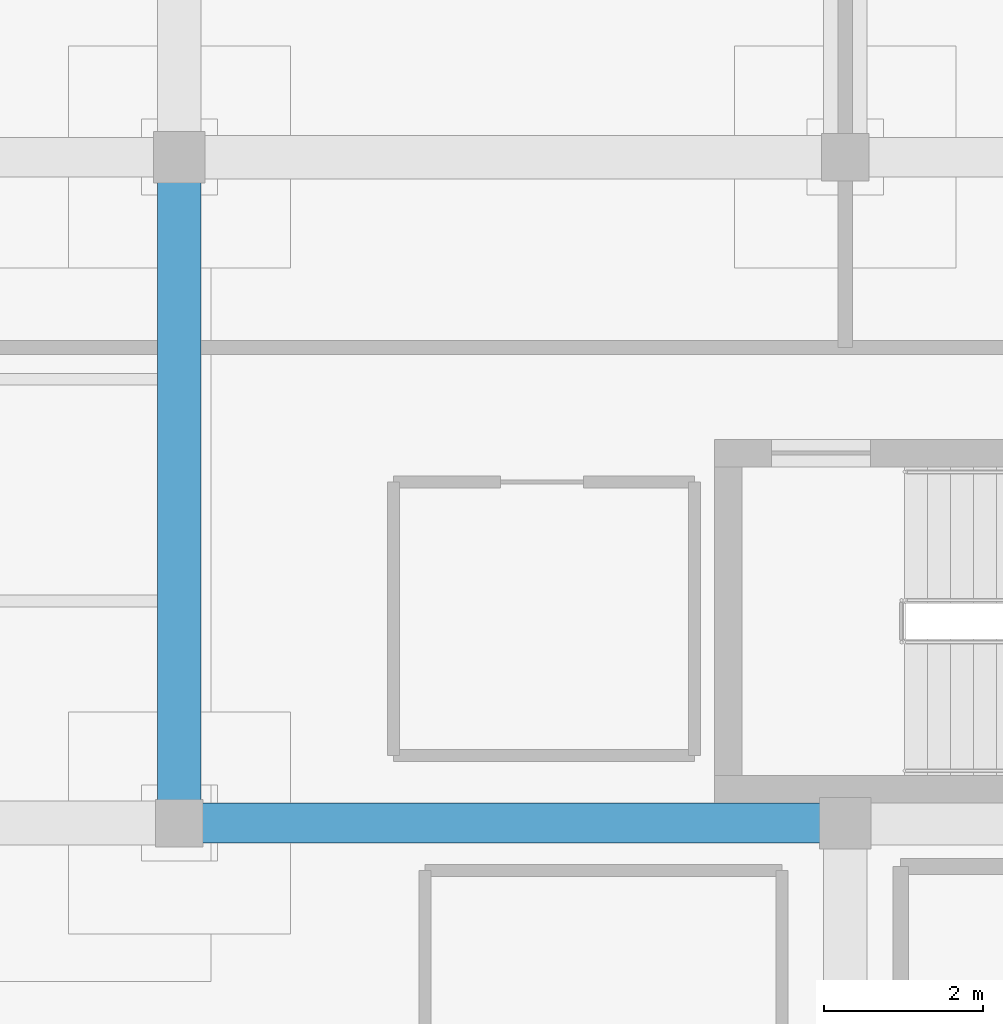
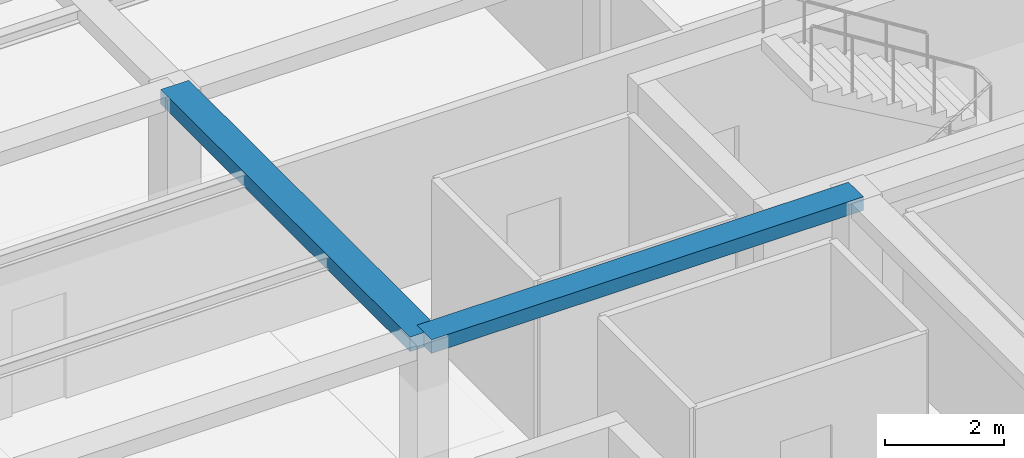
# One storey, part 10 of 26: 2 beams.
"""IFC4 building model written with IfcOpenShell, lengths in metres."""

import ifcopenshell
import ifcopenshell.guid

model = None  # the IFC model being written
_history = None  # IfcOwnerHistory: only IFC2X3 demands one
_inside = {}  # id of a spatial element -> (the spatial element, [elements in it])
_under = {}  # id of a project, library or spatial element -> (it, [spatial elements below it])
_declared = {}  # id of a project -> (the project, [libraries it declares])
_typed = {}  # id of a type object -> (the type object, [elements of that type])
_made_of = {}  # id of a material, layer set ... -> (it, [elements and type objects made of it])


def new_model(schema):
    """Start an empty IFC model of exactly this schema.

    Asked for "IFC4X3", IfcOpenShell would pick the latest addendum, in which some entities
    have other attributes; the version numbers below select the first issue.
    IFC2X3 requires an IfcOwnerHistory on every rooted entity: one is made here for all.
    """
    global model, _history
    if schema == "IFC4X3":
        model = ifcopenshell.file(schema_version=(4, 3, 0, 0))
    else:
        model = ifcopenshell.file(schema=schema)
    _inside.clear()
    _under.clear()
    _declared.clear()
    _typed.clear()
    _made_of.clear()
    _history = None
    if model.schema == "IFC2X3":
        org = make("IfcOrganization", Name="unknown")
        user = make(
            "IfcPersonAndOrganization",
            ThePerson=make("IfcPerson", FamilyName="unknown"),
            TheOrganization=org,
        )
        app = make(
            "IfcApplication",
            ApplicationDeveloper=org,
            Version="unknown",
            ApplicationFullName="unknown",
            ApplicationIdentifier="unknown",
        )
        _history = make(
            "IfcOwnerHistory",
            OwningUser=user,
            OwningApplication=app,
            ChangeAction="ADDED",
            CreationDate=0,
        )
    return model


def make(cls, **values):
    """One entity of the class cls with the attributes given. An attribute that is None is left unset."""
    return model.create_entity(
        cls, **{name: value for name, value in values.items() if value is not None}
    )


def rooted(cls, **values):
    """An entity with a GlobalId (a new one), such as an element, a storey or a relation."""
    return make(cls, GlobalId=ifcopenshell.guid.new(), OwnerHistory=_history, **values)


def si_unit(unit_type, name, prefix=None):
    """IfcSIUnit, for example si_unit("LENGTHUNIT", "METRE", prefix="MILLI")."""
    return make("IfcSIUnit", UnitType=unit_type, Prefix=prefix, Name=name)


def assignment(units):
    """IfcUnitAssignment: the units of a project."""
    return None if units is None else make("IfcUnitAssignment", Units=units)


def point(xyz):
    """IfcCartesianPoint."""
    return None if xyz is None else make("IfcCartesianPoint", Coordinates=xyz)


def direction(xyz):
    """IfcDirection."""
    return None if xyz is None else make("IfcDirection", DirectionRatios=xyz)


def frame(location, z_axis=None, x_axis=None):
    """IfcAxis2Placement3D, a coordinate frame: its origin and axes. An axis left out is left unset."""
    return make(
        "IfcAxis2Placement3D",
        Location=point(location),
        Axis=direction(z_axis),
        RefDirection=direction(x_axis),
    )


def frame_2d(location, x_axis=None):
    """IfcAxis2Placement2D, a coordinate frame in the plane: its origin and x axis."""
    return make(
        "IfcAxis2Placement2D", Location=point(location), RefDirection=direction(x_axis)
    )


def origin():
    """The frame at (0, 0, 0) with its axes left unset."""
    return frame((0.0, 0.0, 0.0))


def origin_2d():
    """The frame at (0, 0) in the plane with its x axis left unset."""
    return frame_2d((0.0, 0.0))


def place(relative_to, where):
    """IfcLocalPlacement: puts the frame where relative to a parent placement (None: the world)."""
    return make(
        "IfcLocalPlacement", PlacementRelTo=relative_to, RelativePlacement=where
    )


def context(
    kind, dimensions, precision=None, world=None, true_north=None, identifier=None
):
    """IfcGeometricRepresentationContext, for example the 3D "Model" context."""
    return make(
        "IfcGeometricRepresentationContext",
        ContextIdentifier=identifier,
        ContextType=kind,
        CoordinateSpaceDimension=dimensions,
        Precision=precision,
        WorldCoordinateSystem=world,
        TrueNorth=true_north,
    )


def subcontext(parent, identifier, kind, view, scale=None):
    """IfcGeometricRepresentationSubContext, for example "Body" below "Model"."""
    return make(
        "IfcGeometricRepresentationSubContext",
        ContextIdentifier=identifier,
        ContextType=kind,
        ParentContext=parent,
        TargetScale=scale,
        TargetView=view,
    )


def project(units=None, contexts=None):
    """IfcProject with its units and contexts."""
    return rooted(
        "IfcProject",
        Name="project",
        RepresentationContexts=contexts,
        UnitsInContext=assignment(units),
    )


def spatial(cls, under=None, at=None, **own):
    """A site, building, storey or space (cls), placed at a placement, below another one or the project."""
    s = rooted(cls, ObjectPlacement=at, **own)
    if under is not None:
        _under.setdefault(under.id(), (under, []))[1].append(s)
    return s


def profile(cls, at=None, kind="AREA", **sizes):
    """A parametric profile (cls). Its sizes go by their IFC names, for example OverallWidth=200.0."""
    return make(cls, ProfileType=kind, Position=at, **sizes)


def rectangle(**sizes):
    """IfcRectangleProfileDef."""
    return profile("IfcRectangleProfileDef", **sizes)


def extrude(swept, where, along, depth):
    """IfcExtrudedAreaSolid: the profile swept, set in the frame where, extruded along a direction by depth."""
    return make(
        "IfcExtrudedAreaSolid",
        SweptArea=swept,
        Position=where,
        ExtrudedDirection=direction(along),
        Depth=depth,
    )


def shape(context_of_items, identifier, shape_type, items):
    """IfcShapeRepresentation: the items that make up one representation, for example the "Body"."""
    return make(
        "IfcShapeRepresentation",
        ContextOfItems=context_of_items,
        RepresentationIdentifier=identifier,
        RepresentationType=shape_type,
        Items=items,
    )


def material(Name=None, Category=None):
    """IfcMaterial."""
    return make("IfcMaterial", Name=Name, Category=Category)


def material_profile(
    of_material, cross_section, Name=None, Category=None, Priority=None
):
    """IfcMaterialProfile: a cross section and its material."""
    return make(
        "IfcMaterialProfile",
        Name=Name,
        Material=of_material,
        Profile=cross_section,
        Priority=Priority,
        Category=Category,
    )


def profile_set(profiles, Name=None, composite=None):
    """IfcMaterialProfileSet."""
    return make(
        "IfcMaterialProfileSet",
        Name=Name,
        MaterialProfiles=profiles,
        CompositeProfile=composite,
    )


def made_of(thing, what):
    """Note that an element or type object is made of a material, layer set ...; save() writes the relation."""
    if what is not None:
        _made_of.setdefault(what.id(), (what, []))[1].append(thing)
    return thing


def type_object(cls, material=None, **own):
    """A type object (cls), such as IfcWallType, which elements share."""
    return made_of(rooted(cls, **own), material)


def element(
    cls,
    number,
    at=None,
    inside=None,
    cuts=None,
    type_object=None,
    material=None,
    context=None,
    identifier="Body",
    shape_type=None,
    held_by="IfcProductDefinitionShape",
    body=None,
    shapes=None,
    **own,
):
    """One element of the class cls, such as IfcWall. Its Tag is "e" and its number.

    at: its placement. inside: the storey or other place that contains it. cuts: it is an
    opening in that element (IfcRelVoidsElement). A single representation is given by context,
    identifier, shape_type and body (its items); several are given by shapes. held_by: the class
    of the entity that holds the representations. save() writes the other relations.
    """
    e = rooted(cls, Tag="e%d" % number, ObjectPlacement=at, **own)
    if body is not None:
        shapes = [shape(context, identifier, shape_type, body)]
    if shapes is not None:
        e.Representation = make(held_by, Representations=shapes)
    if inside is not None:
        _inside.setdefault(inside.id(), (inside, []))[1].append(e)
    if cuts is not None:
        rooted(
            "IfcRelVoidsElement", RelatingBuildingElement=cuts, RelatedOpeningElement=e
        )
    if type_object is not None:
        _typed.setdefault(type_object.id(), (type_object, []))[1].append(e)
    return made_of(e, material)


def aggregate(whole, parts):
    """IfcRelAggregates: a whole, such as a stair, and the parts it consists of."""
    return rooted("IfcRelAggregates", RelatingObject=whole, RelatedObjects=parts)


def save(model, path):
    """Write the relations noted so far, then the file.

    IfcRelAggregates (storeys below a building ...), IfcRelContainedInSpatialStructure (elements
    in a storey), IfcRelDefinesByType, IfcRelAssociatesMaterial and IfcRelDeclares: one each for
    every whole, place, type object, material and project.
    """
    for whole, parts in _under.values():
        aggregate(whole, parts)
    for where, things in _inside.values():
        rooted(
            "IfcRelContainedInSpatialStructure",
            RelatedElements=things,
            RelatingStructure=where,
        )
    for kind, things in _typed.values():
        rooted("IfcRelDefinesByType", RelatedObjects=things, RelatingType=kind)
    for what, things in _made_of.values():
        rooted("IfcRelAssociatesMaterial", RelatedObjects=things, RelatingMaterial=what)
    for by, libraries in _declared.values():
        rooted("IfcRelDeclares", RelatingContext=by, RelatedDefinitions=libraries)
    model.write(path)


model = new_model("IFC4")

# Units and contexts
model_context = context("Model", 3, precision=1e-05, world=origin(), true_north=direction((0.0, 1.0)))
body_context = subcontext(model_context, "Body", "Model", "MODEL_VIEW")
ifc_project = project(units=[si_unit("LENGTHUNIT", "METRE"), si_unit("AREAUNIT", "SQUARE_METRE"), si_unit("VOLUMEUNIT", "CUBIC_METRE"), si_unit("PLANEANGLEUNIT", "RADIAN"), si_unit("MASSUNIT", "GRAM", prefix="KILO")], contexts=[model_context])

# Site, building, storey
site_placement = place(None, origin())
site = spatial("IfcSite", under=ifc_project, at=site_placement, CompositionType="ELEMENT")
building_placement = place(site_placement, origin())
building = spatial("IfcBuilding", under=site, at=building_placement, Name="Almacenes y Pasaje Nevantli", CompositionType="ELEMENT")
storey_placement = place(building_placement, frame((0.0, 0.0, 54.699951171875)))
storey = spatial("IfcBuildingStorey", under=building, at=storey_placement, Name="L13", CompositionType="ELEMENT", Elevation=54.699951171875)

# Beams
ifc_material_1 = material(Name="Concrete C35/45", Category="concrete")
ifc_material_profile_1 = material_profile(ifc_material_1, rectangle(XDim=0.5, YDim=0.280029296875, at=origin_2d()), Name="RC-BM-500x280")
ifc_profile_set_1 = profile_set([ifc_material_profile_1], Name="Concrete C35/45")
beam_type_1 = type_object("IfcBeamType", Name="BM-RC-500x280", PredefinedType="BEAM", material=ifc_profile_set_1)
beam_1_placement = place(storey_placement, frame((126.0, 84.0, 3.580078125), z_axis=(1.0, 0.0, 0.0), x_axis=(0.0, 1.0, 0.0)))
element("IfcBeam", 1, at=beam_1_placement, inside=storey, type_object=beam_type_1, Name="L13 East-West Reinforced Concrete Beam #3949", PredefinedType="BEAM", context=body_context, shape_type="SweptSolid", body=[
    extrude(rectangle(XDim=0.5, YDim=0.280029296875, at=origin_2d()), origin(), (0.0, 0.0, 1.0), 8.39990234375),
])
ifc_material_2 = material(Name="Concrete C35/45", Category="concrete")
ifc_material_profile_2 = material_profile(ifc_material_2, rectangle(XDim=0.550048828125, YDim=0.300048828125, at=origin_2d()), Name="RC-BM-550x300")
ifc_profile_set_2 = profile_set([ifc_material_profile_2], Name="Concrete C35/45")
beam_type_2 = type_object("IfcBeamType", Name="BM-RC-550x300", PredefinedType="BEAM", material=ifc_profile_set_2)
beam_2_placement = place(storey_placement, frame((126.0, 84.0, 3.570068359375), z_axis=(0.0, 1.0, 0.0), x_axis=(-1.0, 0.0, 0.0)))
element("IfcBeam", 2, at=beam_2_placement, inside=storey, type_object=beam_type_2, Name="L13 North-South Reinforced Concrete Beam #3968", PredefinedType="BEAM", context=body_context, shape_type="SweptSolid", body=[
    extrude(rectangle(XDim=0.550048828125, YDim=0.300048828125, at=origin_2d()), origin(), (0.0, 0.0, 1.0), 8.39990234375),
])

save(model, "model.ifc")
